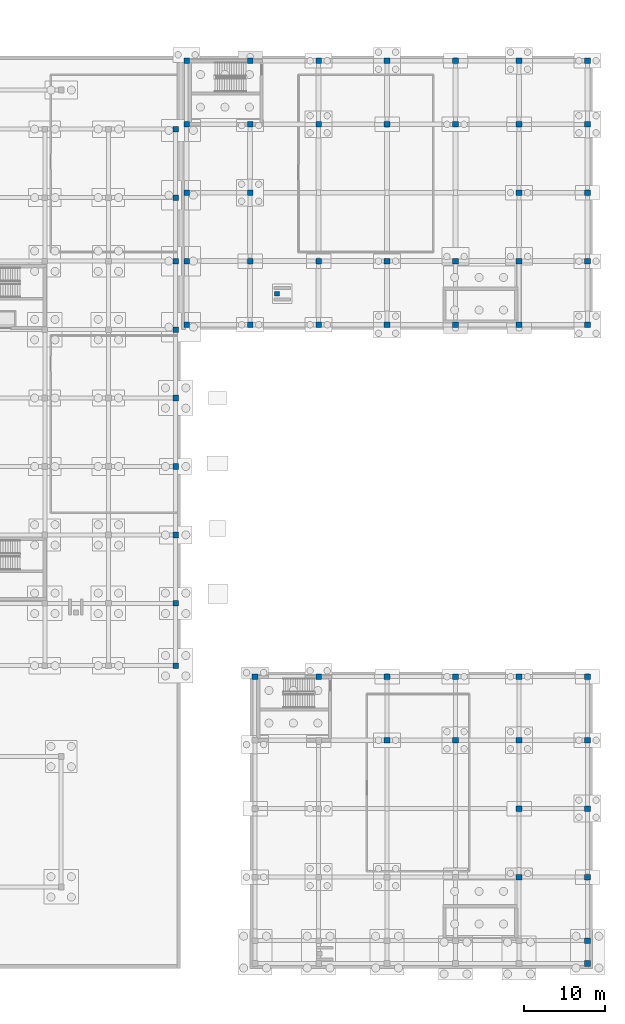
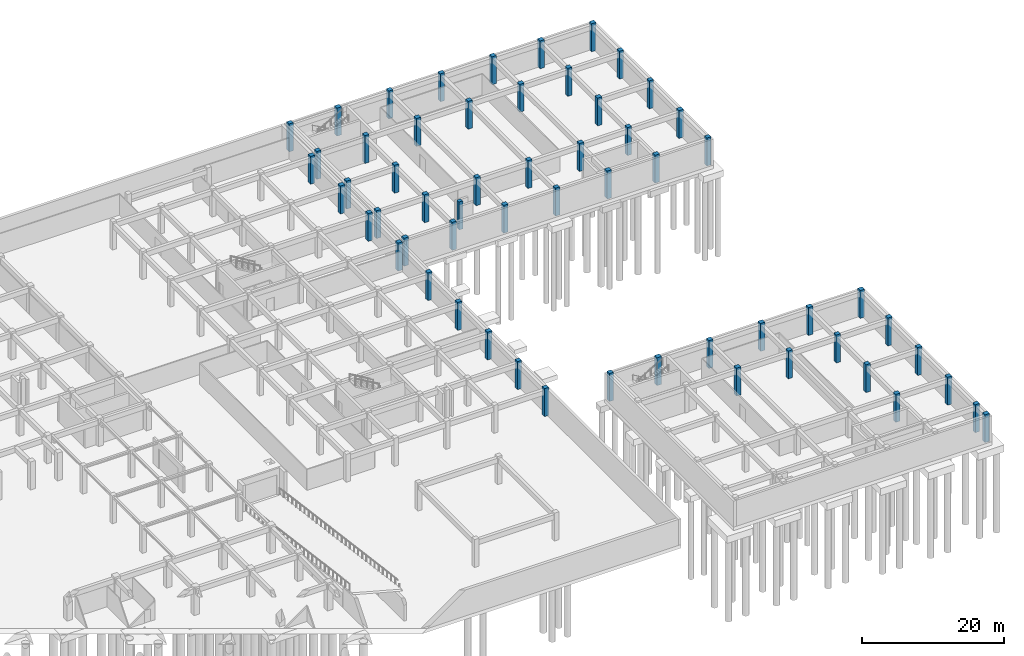
# One storey, part 9 of 35: 58 columns.
"""IFC4 building model written with IfcOpenShell, lengths in metres."""

from ifc_helpers import new_model, si_unit, direction, frame, origin, origin_2d, place, context, subcontext, project, spatial, rectangle, extrude, material, material_profile, profile_set, type_object, element, save


model = new_model("IFC4")

# Units and contexts
model_context = context("Model", 3, precision=1e-05, world=origin(), true_north=direction((0.0, 1.0)))
body_context = subcontext(model_context, "Body", "Model", "MODEL_VIEW")
ifc_project = project(units=[si_unit("LENGTHUNIT", "METRE"), si_unit("AREAUNIT", "SQUARE_METRE"), si_unit("VOLUMEUNIT", "CUBIC_METRE"), si_unit("PLANEANGLEUNIT", "RADIAN"), si_unit("MASSUNIT", "GRAM", prefix="KILO")], contexts=[model_context])

# Site, building, storey
site_placement = place(None, origin())
site = spatial("IfcSite", under=ifc_project, at=site_placement, CompositionType="ELEMENT")
building_placement = place(site_placement, origin())
building = spatial("IfcBuilding", under=site, at=building_placement, Name="Zayran Congress Hotel", CompositionType="ELEMENT")
storey_placement = place(building_placement, frame((0.0, 0.0, -4.800048828125)))
storey = spatial("IfcBuildingStorey", under=building, at=storey_placement, Name="B1", CompositionType="ELEMENT", Elevation=-4.800048828125)

# Columns
ifc_material = material(Name="Concrete C40/50", Category="concrete")
ifc_material_profile_1 = material_profile(ifc_material, rectangle(XDim=0.699951171875, YDim=0.699951171875, at=origin_2d()), Name="RC 700x700")
ifc_profile_set_1 = profile_set([ifc_material_profile_1], Name="Concrete C40/50")
column_type_1 = type_object("IfcColumnType", Name="TP-CL-03", PredefinedType="COLUMN", material=ifc_profile_set_1)
for number, where, z_axis, x_axis, name in (
    (1, (142.050048828125, 43.14990234375, 0.0), (0.0, 0.0, 1.0), (1.0, 0.0, 0.0), "COL-B1-0178"),
    (2, (142.050048828125, 50.800048828125, 0.0), (0.0, 0.0, 1.0), (1.0, 0.0, 0.0), "COL-B1-0179"),
    (3, (142.050048828125, 59.199951171875, 0.0), (0.0, 0.0, 1.0), (1.0, 0.0, 0.0), "COL-B1-0180"),
    (4, (142.050048828125, 67.60009765625, 0.0), (0.0, 0.0, 1.0), (1.0, 0.0, 0.0), "COL-B1-0181"),
    (5, (142.050048828125, 76.0, 0.0), (0.0, 0.0, 1.0), (1.0, 0.0, 0.0), "COL-B1-0182"),
    (6, (142.050048828125, 84.39990234375, 0.0), (0.0, 0.0, 1.0), (1.0, 0.0, 0.0), "COL-B1-0183"),
    (7, (142.050048828125, 92.800048828125, 0.0), (0.0, 0.0, 1.0), (1.0, 0.0, 0.0), "COL-B1-0184"),
    (8, (142.050048828125, 100.60009765625, 0.0), (0.0, 0.0, 1.0), (1.0, 0.0, 0.0), "COL-B1-0185"),
    (9, (142.050048828125, 109.0, 0.0), (0.0, 0.0, 1.0), (1.0, 0.0, 0.0), "COL-B1-0186"),
    (10, (143.39990234375, 85.0, 0.0), (0.0, 0.0, 1.0), (1.0, 0.0, 0.0), "COL-B1-0187"),
    (11, (143.39990234375, 92.800048828125, 0.0), (0.0, 0.0, 1.0), (1.0, 0.0, 0.0), "COL-B1-0188"),
    (12, (143.39990234375, 101.199951171875, 0.0), (0.0, 0.0, 1.0), (1.0, 0.0, 0.0), "COL-B1-0189"),
    (13, (143.39990234375, 109.60009765625, 0.0), (0.0, 0.0, 1.0), (1.0, 0.0, 0.0), "COL-B1-0190"),
    (14, (143.39990234375, 117.39990234375, 0.0), (0.0, 0.0, 1.0), (1.0, 0.0, 0.0), "COL-B1-0191"),
    (15, (151.199951171875, 85.0, 0.0), (0.0, 0.0, 1.0), (1.0, 0.0, 0.0), "COL-B1-0192"),
    (16, (151.199951171875, 92.800048828125, 0.0), (0.0, 0.0, 1.0), (1.0, 0.0, 0.0), "COL-B1-0193"),
    (17, (151.199951171875, 101.199951171875, 0.0), (0.0, 0.0, 1.0), (1.0, 0.0, 0.0), "COL-B1-0194"),
    (18, (151.199951171875, 109.60009765625, 0.0), (0.0, 0.0, 1.0), (1.0, 0.0, 0.0), "COL-B1-0195"),
    (19, (151.199951171875, 117.39990234375, 0.0), (0.0, 0.0, 1.0), (1.0, 0.0, 0.0), "COL-B1-0196"),
    (20, (151.800048828125, 41.800048828125, 0.0), (0.0, 0.0, 1.0), (1.0, 0.0, 0.0), "COL-B1-0202"),
    (21, (159.60009765625, 41.800048828125, 0.0), (0.0, 0.0, 1.0), (1.0, 0.0, 0.0), "COL-B1-0208"),
    (22, (159.60009765625, 85.0, 0.0), (0.0, 0.0, 1.0), (1.0, 0.0, 0.0), "COL-B1-0209"),
    (23, (159.60009765625, 92.800048828125, 0.0), (0.0, 0.0, 1.0), (1.0, 0.0, 0.0), "COL-B1-0210"),
    (24, (159.60009765625, 109.60009765625, 0.0), (0.0, 0.0, 1.0), (1.0, 0.0, 0.0), "COL-B1-0211"),
    (25, (159.60009765625, 117.39990234375, 0.0), (0.0, 0.0, 1.0), (1.0, 0.0, 0.0), "COL-B1-0212"),
    (26, (168.0, 34.0, 0.0), (0.0, 0.0, 1.0), (1.0, 0.0, 0.0), "COL-B1-0216"),
    (27, (168.0, 41.800048828125, 0.0), (0.0, 0.0, 1.0), (1.0, 0.0, 0.0), "COL-B1-0217"),
    (28, (168.0, 85.0, 0.0), (0.0, 0.0, 1.0), (1.0, 0.0, 0.0), "COL-B1-0218"),
    (29, (168.0, 92.800048828125, 0.0), (0.0, 0.0, 1.0), (1.0, 0.0, 0.0), "COL-B1-0219"),
    (30, (168.0, 109.60009765625, 0.0), (0.0, 0.0, 1.0), (1.0, 0.0, 0.0), "COL-B1-0220"),
    (31, (168.0, 117.39990234375, 0.0), (0.0, 0.0, 1.0), (1.0, 0.0, 0.0), "COL-B1-0221"),
    (32, (176.39990234375, 34.0, 0.0), (0.0, 0.0, 1.0), (1.0, 0.0, 0.0), "COL-B1-0225"),
    (33, (176.39990234375, 41.800048828125, 0.0), (0.0, 0.0, 1.0), (1.0, 0.0, 0.0), "COL-B1-0226"),
    (34, (176.39990234375, 85.0, 0.0), (0.0, 0.0, 1.0), (1.0, 0.0, 0.0), "COL-B1-0227"),
    (35, (176.39990234375, 92.800048828125, 0.0), (0.0, 0.0, 1.0), (1.0, 0.0, 0.0), "COL-B1-0228"),
    (36, (176.39990234375, 109.60009765625, 0.0), (0.0, 0.0, 1.0), (1.0, 0.0, 0.0), "COL-B1-0229"),
    (37, (176.39990234375, 117.39990234375, 0.0), (0.0, 0.0, 1.0), (1.0, 0.0, 0.0), "COL-B1-0230"),
    (38, (184.199951171875, 17.199951171875, 0.0), (0.0, 0.0, 1.0), (1.0, 0.0, 0.0), "COL-B1-0233"),
    (39, (184.199951171875, 25.60009765625, 0.0), (0.0, 0.0, 1.0), (1.0, 0.0, 0.0), "COL-B1-0234"),
    (40, (184.199951171875, 34.0, 0.0), (0.0, 0.0, 1.0), (1.0, 0.0, 0.0), "COL-B1-0235"),
    (41, (184.199951171875, 41.800048828125, 0.0), (0.0, 0.0, 1.0), (1.0, 0.0, 0.0), "COL-B1-0236"),
    (42, (184.199951171875, 85.0, 0.0), (0.0, 0.0, 1.0), (1.0, 0.0, 0.0), "COL-B1-0237"),
    (43, (184.199951171875, 92.800048828125, 0.0), (0.0, 0.0, 1.0), (1.0, 0.0, 0.0), "COL-B1-0238"),
    (44, (184.199951171875, 101.199951171875, 0.0), (0.0, 0.0, 1.0), (1.0, 0.0, 0.0), "COL-B1-0239"),
    (45, (184.199951171875, 109.60009765625, 0.0), (0.0, 0.0, 1.0), (1.0, 0.0, 0.0), "COL-B1-0240"),
    (46, (184.199951171875, 117.39990234375, 0.0), (0.0, 0.0, 1.0), (1.0, 0.0, 0.0), "COL-B1-0241"),
    (47, (192.60009765625, 6.60009765625, 0.0), (0.0, 0.0, 1.0), (1.0, 0.0, 0.0), "COL-B1-0242"),
    (48, (192.60009765625, 9.39990234375, 0.0), (0.0, 0.0, 1.0), (1.0, 0.0, 0.0), "COL-B1-0243"),
    (49, (192.60009765625, 17.199951171875, 0.0), (0.0, 0.0, 1.0), (1.0, 0.0, 0.0), "COL-B1-0244"),
    (50, (192.60009765625, 25.60009765625, 0.0), (0.0, 0.0, 1.0), (1.0, 0.0, 0.0), "COL-B1-0245"),
    (51, (192.60009765625, 34.0, 0.0), (0.0, 0.0, 1.0), (1.0, 0.0, 0.0), "COL-B1-0246"),
    (52, (192.60009765625, 41.800048828125, 0.0), (0.0, 0.0, 1.0), (1.0, 0.0, 0.0), "COL-B1-0247"),
    (53, (192.60009765625, 85.0, 0.0), (0.0, 0.0, 1.0), (1.0, 0.0, 0.0), "COL-B1-0248"),
    (54, (192.60009765625, 92.800048828125, 0.0), (0.0, 0.0, 1.0), (1.0, 0.0, 0.0), "COL-B1-0249"),
    (55, (192.60009765625, 101.199951171875, 0.0), (0.0, 0.0, 1.0), (1.0, 0.0, 0.0), "COL-B1-0250"),
    (56, (192.60009765625, 109.60009765625, 0.0), (0.0, 0.0, 1.0), (1.0, 0.0, 0.0), "COL-B1-0251"),
    (57, (192.60009765625, 117.39990234375, 0.0), (0.0, 0.0, 1.0), (1.0, 0.0, 0.0), "COL-B1-0252"),
):
    element("IfcColumn", number, at=place(storey_placement, frame(where, z_axis=z_axis, x_axis=x_axis)), inside=storey, type_object=column_type_1, Name=name, PredefinedType="COLUMN", context=body_context, shape_type="SweptSolid", body=[
        extrude(rectangle(XDim=0.699951171875, YDim=0.699951171875, at=origin_2d()), origin(), (0.0, 0.0, 1.0), 4.800048828125),
    ])
ifc_material_profile_2 = material_profile(ifc_material, rectangle(XDim=0.60009765625, YDim=0.60009765625, at=origin_2d()), Name="RC 600x600")
ifc_profile_set_2 = profile_set([ifc_material_profile_2], Name="Concrete C40/50")
column_type_2 = type_object("IfcColumnType", Name="TP-CL-04", PredefinedType="COLUMN", material=ifc_profile_set_2)
column_placement = place(storey_placement, frame((154.5, 88.800048828125, 0.0), z_axis=(0.0, 0.0, 1.0), x_axis=(1.0, 0.0, 0.0)))
element("IfcColumn", 58, at=column_placement, inside=storey, type_object=column_type_2, Name="COL-VOM-B1-04", PredefinedType="COLUMN", context=body_context, shape_type="SweptSolid", body=[
    extrude(rectangle(XDim=0.60009765625, YDim=0.60009765625, at=origin_2d()), origin(), (0.0, 0.0, 1.0), 4.800048828125),
])

save(model, "model.ifc")
